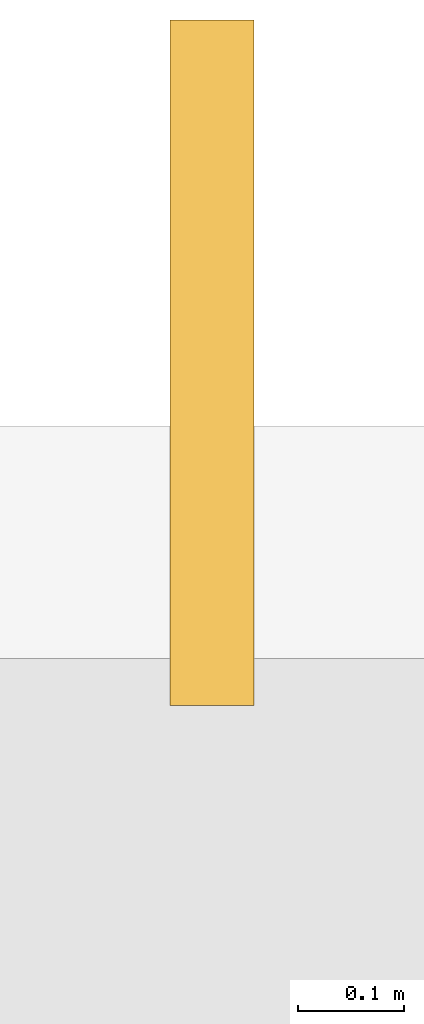
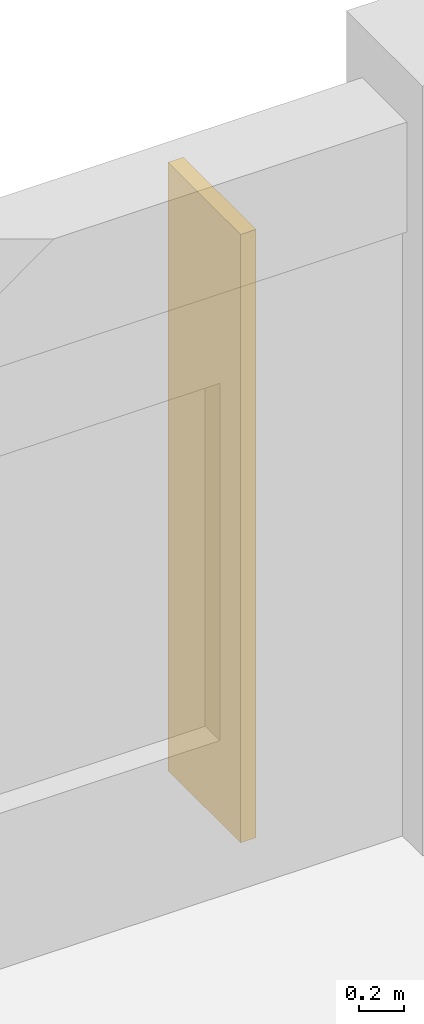
# One storey, part 139 of 140: 1 shading device.
"""IFC4 building model written with IfcOpenShell, lengths in metres."""

from ifc_helpers import new_model, si_unit, direction, frame, origin, origin_2d, place, context, subcontext, project, spatial, rectangle, extrude, material, type_object, element, save


model = new_model("IFC4")

# Units and contexts
model_context = context("Model", 3, precision=1e-05, world=origin(), true_north=direction((0.0, 1.0)))
body_context = subcontext(model_context, "Body", "Model", "MODEL_VIEW")
ifc_project = project(units=[si_unit("LENGTHUNIT", "METRE"), si_unit("AREAUNIT", "SQUARE_METRE"), si_unit("VOLUMEUNIT", "CUBIC_METRE"), si_unit("PLANEANGLEUNIT", "RADIAN"), si_unit("MASSUNIT", "GRAM", prefix="KILO")], contexts=[model_context])

# Site, building, storey
site_placement = place(None, origin())
site = spatial("IfcSite", under=ifc_project, at=site_placement, CompositionType="ELEMENT")
building_placement = place(site_placement, origin())
building = spatial("IfcBuilding", under=site, at=building_placement, Name="Trelvath General Hospital", CompositionType="ELEMENT")
storey_placement = place(building_placement, frame((0.0, 0.0, 16.199951171875)))
storey = spatial("IfcBuildingStorey", under=building, at=storey_placement, Name="L04", CompositionType="ELEMENT", Elevation=16.199951171875)

# Shading device
ifc_material = material(Name="Anodised aluminium", Category="aluminium")
shading_device_type = type_object("IfcShadingDeviceType", Name="SolarScreen PerforatedAlu", PredefinedType="JALOUSIE", material=ifc_material)
shading_device_placement = place(storey_placement, frame((133.446533203125, 118.080078125, 0.0), z_axis=(0.0, 0.0, 1.0), x_axis=(0.0, 1.0, 0.0)))
element("IfcShadingDevice", 1, at=shading_device_placement, inside=storey, type_object=shading_device_type, Name="Solar Brise-Soleil Screen L04-78", PredefinedType="JALOUSIE", context=body_context, shape_type="SweptSolid", body=[
    extrude(rectangle(XDim=0.64990234375, YDim=0.080078125, at=origin_2d()), origin(), (0.0, 0.0, 1.0), 3.320068359375),
])

save(model, "model.ifc")
